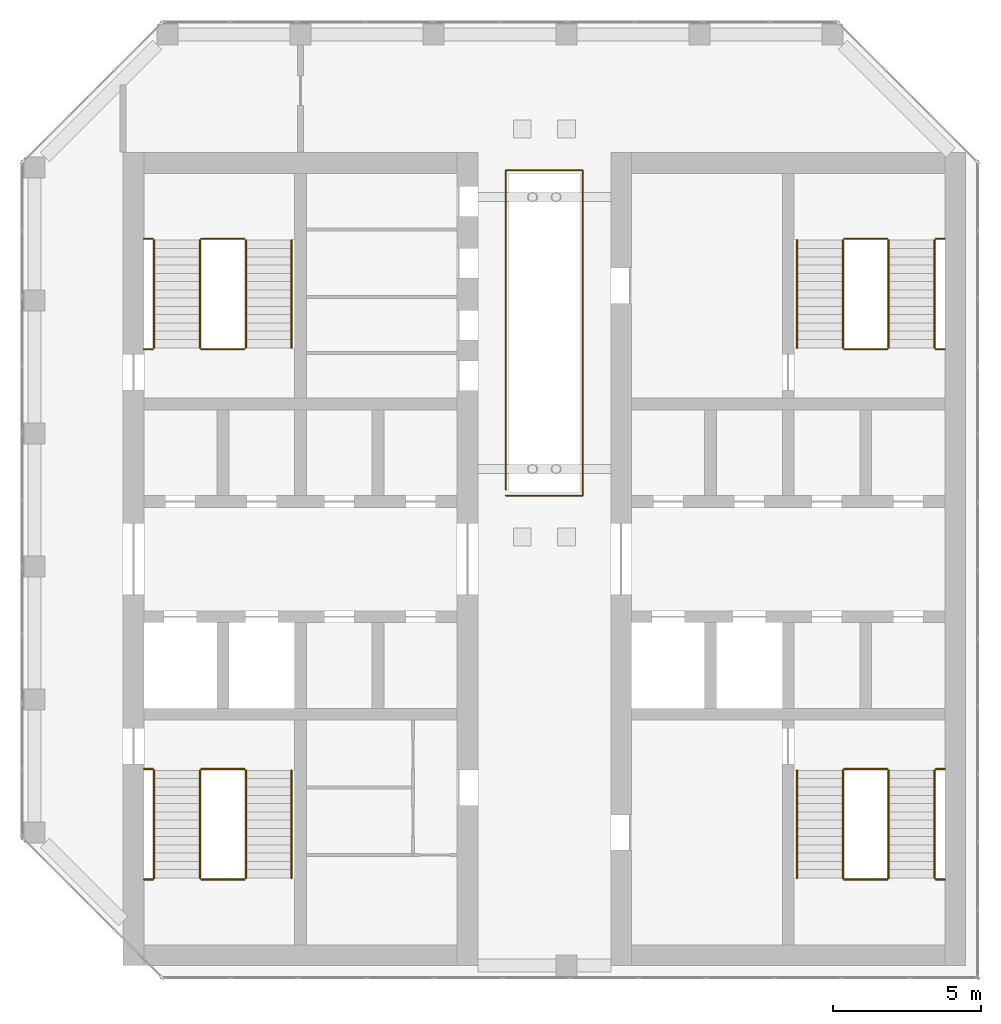
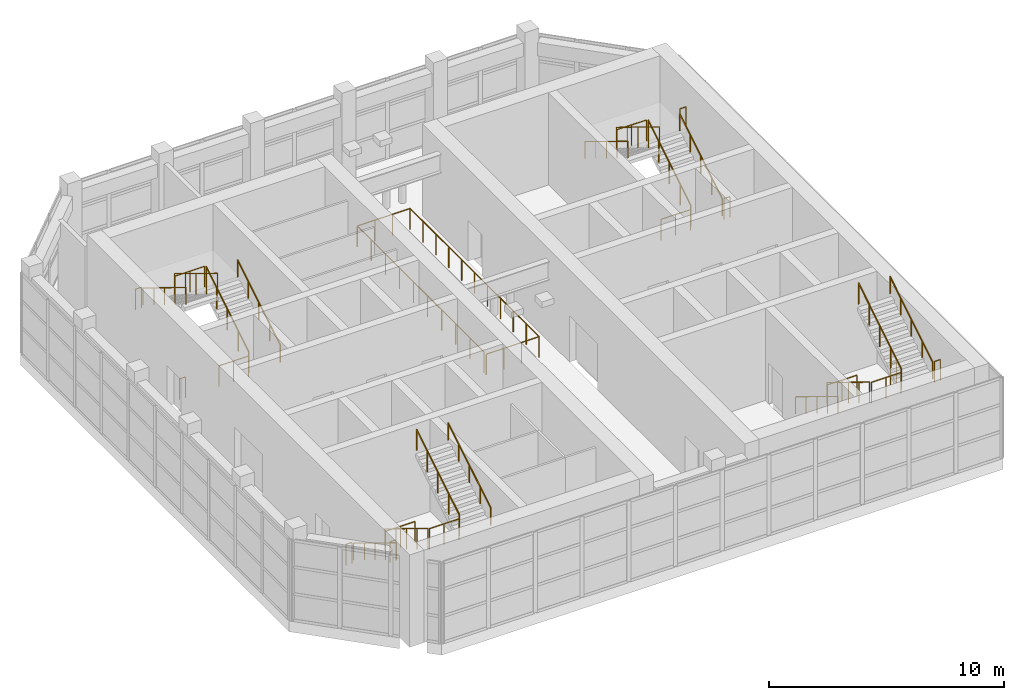
# One storey, part 12 of 13: 33 railings.
"""IFC4 building model written with IfcOpenShell, lengths in metres."""

from ifc_helpers import new_model, si_unit, direction, frame, origin, origin_2d, place, context, subcontext, project, spatial, circle, extrude, material, type_object, element, save


model = new_model("IFC4")

# Units and contexts
model_context = context("Model", 3, precision=1e-05, world=origin(), true_north=direction((0.0, 1.0)))
body_context = subcontext(model_context, "Body", "Model", "MODEL_VIEW")
ifc_project = project(units=[si_unit("LENGTHUNIT", "METRE"), si_unit("AREAUNIT", "SQUARE_METRE"), si_unit("VOLUMEUNIT", "CUBIC_METRE"), si_unit("PLANEANGLEUNIT", "RADIAN"), si_unit("MASSUNIT", "GRAM", prefix="KILO")], contexts=[model_context])

# Site, building, storey
site_placement = place(None, origin())
site = spatial("IfcSite", under=ifc_project, at=site_placement, CompositionType="ELEMENT")
building_placement = place(site_placement, origin())
building = spatial("IfcBuilding", under=site, at=building_placement, Name="Corbel Stack Research Tower", CompositionType="ELEMENT")
storey_placement = place(building_placement, frame((0.0, 0.0, 316.60009765625)))
storey = spatial("IfcBuildingStorey", under=building, at=storey_placement, Name="L71", CompositionType="ELEMENT", Elevation=316.60009765625)

# Railings
ifc_material_1 = material(Name="Steel S355", Category="steel")
railing_type_1 = type_object("IfcRailingType", Name="Floor opening guard, steel 1100", PredefinedType="GUARDRAIL", material=ifc_material_1)
railing_1_placement = place(storey_placement, frame((2.449951171875, 6.89990234375, 0.0)))
element("IfcRailing", 1, at=railing_1_placement, inside=storey, type_object=railing_type_1, Name="Damper mass opening guard", PredefinedType="GUARDRAIL", context=body_context, shape_type="SweptSolid", body=[
    extrude(circle(Radius=0.02490234375, at=origin_2d()), frame((0.0, 0.0, 1.0751953125), z_axis=(1.0, 0.0, 0.0), x_axis=(0.0, 1.0, 0.0)), (0.0, 0.0, 1.0), 2.60009765625),
    extrude(circle(Radius=0.02490234375, at=origin_2d()), frame((2.60009765625, 0.0, 1.0751953125), z_axis=(0.0, 1.0, 0.0), x_axis=(-1.0, 0.0, 0.0)), (0.0, 0.0, 1.0), 11.0),
    extrude(circle(Radius=0.02490234375, at=origin_2d()), frame((2.60009765625, 11.0, 1.0751953125), z_axis=(-1.0, 0.0, 0.0), x_axis=(0.0, -1.0, 0.0)), (0.0, 0.0, 1.0), 2.60009765625),
    extrude(circle(Radius=0.02490234375, at=origin_2d()), frame((0.0, 11.0, 1.0751953125), z_axis=(0.0, -1.0, 0.0), x_axis=(1.0, 0.0, 0.0)), (0.0, 0.0, 1.0), 10.7998046875),
    extrude(circle(Radius=0.02490234375, at=origin_2d()), origin(), (0.0, 0.0, 1.0), 1.050048828125),
    extrude(circle(Radius=0.02490234375, at=origin_2d()), frame((0.86669921875, 0.0, 0.0)), (0.0, 0.0, 1.0), 1.050048828125),
    extrude(circle(Radius=0.02490234375, at=origin_2d()), frame((1.7333984375, 0.0, 0.0)), (0.0, 0.0, 1.0), 1.050048828125),
    extrude(circle(Radius=0.02490234375, at=origin_2d()), frame((2.60009765625, 0.0, 0.0)), (0.0, 0.0, 1.0), 1.050048828125),
    extrude(circle(Radius=0.02490234375, at=origin_2d()), frame((2.60009765625, 1.10009765625, 0.0)), (0.0, 0.0, 1.0), 1.050048828125),
    extrude(circle(Radius=0.02490234375, at=origin_2d()), frame((2.60009765625, 2.199951171875, 0.0)), (0.0, 0.0, 1.0), 1.050048828125),
    extrude(circle(Radius=0.02490234375, at=origin_2d()), frame((2.60009765625, 3.300048828125, 0.0)), (0.0, 0.0, 1.0), 1.050048828125),
    extrude(circle(Radius=0.02490234375, at=origin_2d()), frame((2.60009765625, 4.39990234375, 0.0)), (0.0, 0.0, 1.0), 1.050048828125),
    extrude(circle(Radius=0.02490234375, at=origin_2d()), frame((2.60009765625, 5.5, 0.0)), (0.0, 0.0, 1.0), 1.050048828125),
    extrude(circle(Radius=0.02490234375, at=origin_2d()), frame((2.60009765625, 6.60009765625, 0.0)), (0.0, 0.0, 1.0), 1.050048828125),
    extrude(circle(Radius=0.02490234375, at=origin_2d()), frame((2.60009765625, 7.699951171875, 0.0)), (0.0, 0.0, 1.0), 1.050048828125),
    extrude(circle(Radius=0.02490234375, at=origin_2d()), frame((2.60009765625, 8.800048828125, 0.0)), (0.0, 0.0, 1.0), 1.050048828125),
    extrude(circle(Radius=0.02490234375, at=origin_2d()), frame((2.60009765625, 9.89990234375, 0.0)), (0.0, 0.0, 1.0), 1.050048828125),
    extrude(circle(Radius=0.02490234375, at=origin_2d()), frame((2.60009765625, 11.0, 0.0)), (0.0, 0.0, 1.0), 1.050048828125),
    extrude(circle(Radius=0.02490234375, at=origin_2d()), frame((1.7333984375, 11.0, 0.0)), (0.0, 0.0, 1.0), 1.050048828125),
    extrude(circle(Radius=0.02490234375, at=origin_2d()), frame((0.86669921875, 11.0, 0.0)), (0.0, 0.0, 1.0), 1.050048828125),
    extrude(circle(Radius=0.02490234375, at=origin_2d()), frame((0.0, 11.0, 0.0)), (0.0, 0.0, 1.0), 1.050048828125),
    extrude(circle(Radius=0.02490234375, at=origin_2d()), frame((0.0, 9.800048828125, 0.0)), (0.0, 0.0, 1.0), 1.050048828125),
    extrude(circle(Radius=0.02490234375, at=origin_2d()), frame((0.0, 8.60009765625, 0.0)), (0.0, 0.0, 1.0), 1.050048828125),
    extrude(circle(Radius=0.02490234375, at=origin_2d()), frame((0.0, 7.400146484375, 0.0)), (0.0, 0.0, 1.0), 1.050048828125),
    extrude(circle(Radius=0.02490234375, at=origin_2d()), frame((0.0, 6.2001953125, 0.0)), (0.0, 0.0, 1.0), 1.050048828125),
    extrude(circle(Radius=0.02490234375, at=origin_2d()), frame((0.0, 5.0, 0.0)), (0.0, 0.0, 1.0), 1.050048828125),
    extrude(circle(Radius=0.02490234375, at=origin_2d()), frame((0.0, 3.800048828125, 0.0)), (0.0, 0.0, 1.0), 1.050048828125),
    extrude(circle(Radius=0.02490234375, at=origin_2d()), frame((0.0, 2.60009765625, 0.0)), (0.0, 0.0, 1.0), 1.050048828125),
    extrude(circle(Radius=0.02490234375, at=origin_2d()), frame((0.0, 1.400146484375, 0.0)), (0.0, 0.0, 1.0), 1.050048828125),
    extrude(circle(Radius=0.02490234375, at=origin_2d()), frame((0.0, 0.2001953125, 0.0)), (0.0, 0.0, 1.0), 1.050048828125),
])
ifc_material_2 = material(Name="Steel S355", Category="steel")
railing_type_2 = type_object("IfcRailingType", Name="Stair guard 1100", PredefinedType="GUARDRAIL", material=ifc_material_2)
railing_2_placement = place(storey_placement, frame((-7.89990234375, -2.39990234375, 0.17138671875)))
element("IfcRailing", 2, at=railing_2_placement, inside=storey, type_object=railing_type_2, Name="L71 ST-W1 stair guard 1", PredefinedType="GUARDRAIL", context=body_context, shape_type="SweptSolid", body=[
    extrude(circle(Radius=0.02392578125, at=origin_2d()), frame((0.0, 0.0, 1.076171875), z_axis=(0.0, -0.852865859571, 0.52213008492), x_axis=(1.0, 0.0, 0.0)), (0.0, 0.0, 1.0), 4.26806640625),
    extrude(circle(Radius=0.02099609375, at=origin_2d()), origin(), (0.0, 0.0, 1.0), 1.052001953125),
    extrude(circle(Radius=0.02099609375, at=origin_2d()), frame((0.0, -0.91015625, 0.55712890625)), (0.0, 0.0, 1.0), 1.052001953125),
    extrude(circle(Radius=0.02099609375, at=origin_2d()), frame((0.0, -1.820068359375, 1.1142578125)), (0.0, 0.0, 1.0), 1.052001953125),
    extrude(circle(Radius=0.02099609375, at=origin_2d()), frame((0.0, -2.72998046875, 1.67138671875)), (0.0, 0.0, 1.0), 1.052001953125),
    extrude(circle(Radius=0.02099609375, at=origin_2d()), frame((0.0, -3.64013671875, 2.228515625)), (0.0, 0.0, 1.0), 1.052001953125),
])
railing_3_placement = place(storey_placement, frame((-7.85009765625, -6.090087890625, 2.39990234375)))
element("IfcRailing", 3, at=railing_3_placement, inside=storey, type_object=railing_type_2, Name="L71 ST-W1 stair guard 2", PredefinedType="GUARDRAIL", context=body_context, shape_type="SweptSolid", body=[
    extrude(circle(Radius=0.02392578125, at=origin_2d()), frame((0.0, 0.0, 1.076171875), z_axis=(1.0, 0.0, 0.0), x_axis=(0.0, 1.0, 0.0)), (0.0, 0.0, 1.0), 1.4501953125),
    extrude(circle(Radius=0.02099609375, at=origin_2d()), origin(), (0.0, 0.0, 1.0), 1.052001953125),
    extrude(circle(Radius=0.02099609375, at=origin_2d()), frame((0.72509765625, 0.0, 0.0)), (0.0, 0.0, 1.0), 1.052001953125),
    extrude(circle(Radius=0.02099609375, at=origin_2d()), frame((1.4501953125, 0.0, 0.0)), (0.0, 0.0, 1.0), 1.052001953125),
])
railing_4_placement = place(storey_placement, frame((-9.800048828125, -6.090087890625, 2.39990234375)))
element("IfcRailing", 4, at=railing_4_placement, inside=storey, type_object=railing_type_2, Name="L71 ST-W1 stair guard 3", PredefinedType="GUARDRAIL", context=body_context, shape_type="SweptSolid", body=[
    extrude(circle(Radius=0.02392578125, at=origin_2d()), frame((0.0, 0.0, 1.076171875), z_axis=(1.0, 0.0, 0.0), x_axis=(0.0, 1.0, 0.0)), (0.0, 0.0, 1.0), 0.300048828125),
    extrude(circle(Radius=0.02099609375, at=origin_2d()), origin(), (0.0, 0.0, 1.0), 1.052001953125),
    extrude(circle(Radius=0.02099609375, at=origin_2d()), frame((0.300048828125, 0.0, 0.0)), (0.0, 0.0, 1.0), 1.052001953125),
])
railing_5_placement = place(storey_placement, frame((-6.35009765625, -6.0400390625, 2.5712890625)))
element("IfcRailing", 5, at=railing_5_placement, inside=storey, type_object=railing_type_2, Name="L71 ST-W1 stair guard 4", PredefinedType="GUARDRAIL", context=body_context, shape_type="SweptSolid", body=[
    extrude(circle(Radius=0.02392578125, at=origin_2d()), frame((0.0, 0.0, 1.076171875), z_axis=(0.0, 0.852865859571, 0.52213008492), x_axis=(-1.0, 0.0, 0.0)), (0.0, 0.0, 1.0), 4.26806640625),
    extrude(circle(Radius=0.02099609375, at=origin_2d()), origin(), (0.0, 0.0, 1.0), 1.052001953125),
    extrude(circle(Radius=0.02099609375, at=origin_2d()), frame((0.0, 0.91015625, 0.55712890625)), (0.0, 0.0, 1.0), 1.052001953125),
    extrude(circle(Radius=0.02099609375, at=origin_2d()), frame((0.0, 1.820068359375, 1.1142578125)), (0.0, 0.0, 1.0), 1.052001953125),
    extrude(circle(Radius=0.02099609375, at=origin_2d()), frame((0.0, 2.72998046875, 1.67138671875)), (0.0, 0.0, 1.0), 1.052001953125),
    extrude(circle(Radius=0.02099609375, at=origin_2d()), frame((0.0, 3.64013671875, 2.228515625)), (0.0, 0.0, 1.0), 1.052001953125),
])
railing_6_placement = place(storey_placement, frame((-7.85009765625, -2.35009765625, 0.0)))
element("IfcRailing", 6, at=railing_6_placement, inside=storey, type_object=railing_type_2, Name="L71 ST-W1 stair guard 5", PredefinedType="GUARDRAIL", context=body_context, shape_type="SweptSolid", body=[
    extrude(circle(Radius=0.02392578125, at=origin_2d()), frame((0.0, 0.0, 1.076171875), z_axis=(1.0, 0.0, 0.0), x_axis=(0.0, 1.0, 0.0)), (0.0, 0.0, 1.0), 1.4501953125),
    extrude(circle(Radius=0.02099609375, at=origin_2d()), origin(), (0.0, 0.0, 1.0), 1.052001953125),
    extrude(circle(Radius=0.02099609375, at=origin_2d()), frame((0.72509765625, 0.0, 0.0)), (0.0, 0.0, 1.0), 1.052001953125),
    extrude(circle(Radius=0.02099609375, at=origin_2d()), frame((1.4501953125, 0.0, 0.0)), (0.0, 0.0, 1.0), 1.052001953125),
])
railing_7_placement = place(storey_placement, frame((-9.800048828125, -2.35009765625, 0.0)))
element("IfcRailing", 7, at=railing_7_placement, inside=storey, type_object=railing_type_2, Name="L71 ST-W1 stair guard 6", PredefinedType="GUARDRAIL", context=body_context, shape_type="SweptSolid", body=[
    extrude(circle(Radius=0.02392578125, at=origin_2d()), frame((0.0, 0.0, 1.076171875), z_axis=(1.0, 0.0, 0.0), x_axis=(0.0, 1.0, 0.0)), (0.0, 0.0, 1.0), 0.300048828125),
    extrude(circle(Radius=0.02099609375, at=origin_2d()), origin(), (0.0, 0.0, 1.0), 1.052001953125),
    extrude(circle(Radius=0.02099609375, at=origin_2d()), frame((0.300048828125, 0.0, 0.0)), (0.0, 0.0, 1.0), 1.052001953125),
])
railing_8_placement = place(storey_placement, frame((-6.35009765625, 11.89990234375, 0.17138671875)))
element("IfcRailing", 8, at=railing_8_placement, inside=storey, type_object=railing_type_2, Name="L71 ST-W2 stair guard 1", PredefinedType="GUARDRAIL", context=body_context, shape_type="SweptSolid", body=[
    extrude(circle(Radius=0.02392578125, at=origin_2d()), frame((0.0, 0.0, 1.076171875), z_axis=(0.0, 0.852865859571, 0.52213008492), x_axis=(-1.0, 0.0, 0.0)), (0.0, 0.0, 1.0), 4.26806640625),
    extrude(circle(Radius=0.02099609375, at=origin_2d()), origin(), (0.0, 0.0, 1.0), 1.052001953125),
    extrude(circle(Radius=0.02099609375, at=origin_2d()), frame((0.0, 0.91015625, 0.55712890625)), (0.0, 0.0, 1.0), 1.052001953125),
    extrude(circle(Radius=0.02099609375, at=origin_2d()), frame((0.0, 1.820068359375, 1.1142578125)), (0.0, 0.0, 1.0), 1.052001953125),
    extrude(circle(Radius=0.02099609375, at=origin_2d()), frame((0.0, 2.72998046875, 1.67138671875)), (0.0, 0.0, 1.0), 1.052001953125),
    extrude(circle(Radius=0.02099609375, at=origin_2d()), frame((0.0, 3.64013671875, 2.228515625)), (0.0, 0.0, 1.0), 1.052001953125),
])
railing_9_placement = place(storey_placement, frame((-6.39990234375, 15.590087890625, 2.39990234375)))
element("IfcRailing", 9, at=railing_9_placement, inside=storey, type_object=railing_type_2, Name="L71 ST-W2 stair guard 2", PredefinedType="GUARDRAIL", context=body_context, shape_type="SweptSolid", body=[
    extrude(circle(Radius=0.02392578125, at=origin_2d()), frame((0.0, 0.0, 1.076171875), z_axis=(-1.0, 0.0, 0.0), x_axis=(0.0, -1.0, 0.0)), (0.0, 0.0, 1.0), 1.4501953125),
    extrude(circle(Radius=0.02099609375, at=origin_2d()), origin(), (0.0, 0.0, 1.0), 1.052001953125),
    extrude(circle(Radius=0.02099609375, at=origin_2d()), frame((-0.72509765625, 0.0, 0.0)), (0.0, 0.0, 1.0), 1.052001953125),
    extrude(circle(Radius=0.02099609375, at=origin_2d()), frame((-1.4501953125, 0.0, 0.0)), (0.0, 0.0, 1.0), 1.052001953125),
])
railing_10_placement = place(storey_placement, frame((-9.5, 15.590087890625, 2.39990234375)))
element("IfcRailing", 10, at=railing_10_placement, inside=storey, type_object=railing_type_2, Name="L71 ST-W2 stair guard 3", PredefinedType="GUARDRAIL", context=body_context, shape_type="SweptSolid", body=[
    extrude(circle(Radius=0.02392578125, at=origin_2d()), frame((0.0, 0.0, 1.076171875), z_axis=(-1.0, 0.0, 0.0), x_axis=(0.0, -1.0, 0.0)), (0.0, 0.0, 1.0), 0.300048828125),
    extrude(circle(Radius=0.02099609375, at=origin_2d()), origin(), (0.0, 0.0, 1.0), 1.052001953125),
    extrude(circle(Radius=0.02099609375, at=origin_2d()), frame((-0.300048828125, 0.0, 0.0)), (0.0, 0.0, 1.0), 1.052001953125),
])
railing_11_placement = place(storey_placement, frame((-7.89990234375, 15.5400390625, 2.5712890625)))
element("IfcRailing", 11, at=railing_11_placement, inside=storey, type_object=railing_type_2, Name="L71 ST-W2 stair guard 4", PredefinedType="GUARDRAIL", context=body_context, shape_type="SweptSolid", body=[
    extrude(circle(Radius=0.02392578125, at=origin_2d()), frame((0.0, 0.0, 1.076171875), z_axis=(0.0, -0.852865859571, 0.52213008492), x_axis=(1.0, 0.0, 0.0)), (0.0, 0.0, 1.0), 4.26806640625),
    extrude(circle(Radius=0.02099609375, at=origin_2d()), origin(), (0.0, 0.0, 1.0), 1.052001953125),
    extrude(circle(Radius=0.02099609375, at=origin_2d()), frame((0.0, -0.91015625, 0.55712890625)), (0.0, 0.0, 1.0), 1.052001953125),
    extrude(circle(Radius=0.02099609375, at=origin_2d()), frame((0.0, -1.820068359375, 1.1142578125)), (0.0, 0.0, 1.0), 1.052001953125),
    extrude(circle(Radius=0.02099609375, at=origin_2d()), frame((0.0, -2.72998046875, 1.67138671875)), (0.0, 0.0, 1.0), 1.052001953125),
    extrude(circle(Radius=0.02099609375, at=origin_2d()), frame((0.0, -3.64013671875, 2.228515625)), (0.0, 0.0, 1.0), 1.052001953125),
])
railing_12_placement = place(storey_placement, frame((-6.39990234375, 11.85009765625, 0.0)))
element("IfcRailing", 12, at=railing_12_placement, inside=storey, type_object=railing_type_2, Name="L71 ST-W2 stair guard 5", PredefinedType="GUARDRAIL", context=body_context, shape_type="SweptSolid", body=[
    extrude(circle(Radius=0.02392578125, at=origin_2d()), frame((0.0, 0.0, 1.076171875), z_axis=(-1.0, 0.0, 0.0), x_axis=(0.0, -1.0, 0.0)), (0.0, 0.0, 1.0), 1.4501953125),
    extrude(circle(Radius=0.02099609375, at=origin_2d()), origin(), (0.0, 0.0, 1.0), 1.052001953125),
    extrude(circle(Radius=0.02099609375, at=origin_2d()), frame((-0.72509765625, 0.0, 0.0)), (0.0, 0.0, 1.0), 1.052001953125),
    extrude(circle(Radius=0.02099609375, at=origin_2d()), frame((-1.4501953125, 0.0, 0.0)), (0.0, 0.0, 1.0), 1.052001953125),
])
railing_13_placement = place(storey_placement, frame((-9.5, 11.85009765625, 0.0)))
element("IfcRailing", 13, at=railing_13_placement, inside=storey, type_object=railing_type_2, Name="L71 ST-W2 stair guard 6", PredefinedType="GUARDRAIL", context=body_context, shape_type="SweptSolid", body=[
    extrude(circle(Radius=0.02392578125, at=origin_2d()), frame((0.0, 0.0, 1.076171875), z_axis=(-1.0, 0.0, 0.0), x_axis=(0.0, -1.0, 0.0)), (0.0, 0.0, 1.0), 0.300048828125),
    extrude(circle(Radius=0.02099609375, at=origin_2d()), origin(), (0.0, 0.0, 1.0), 1.052001953125),
    extrude(circle(Radius=0.02099609375, at=origin_2d()), frame((-0.300048828125, 0.0, 0.0)), (0.0, 0.0, 1.0), 1.052001953125),
])
railing_14_placement = place(storey_placement, frame((13.85009765625, -2.39990234375, 0.17138671875)))
element("IfcRailing", 14, at=railing_14_placement, inside=storey, type_object=railing_type_2, Name="L71 ST-E1 stair guard 1", PredefinedType="GUARDRAIL", context=body_context, shape_type="SweptSolid", body=[
    extrude(circle(Radius=0.02392578125, at=origin_2d()), frame((0.0, 0.0, 1.076171875), z_axis=(0.0, -0.852865859571, 0.52213008492), x_axis=(1.0, 0.0, 0.0)), (0.0, 0.0, 1.0), 4.26806640625),
    extrude(circle(Radius=0.02099609375, at=origin_2d()), origin(), (0.0, 0.0, 1.0), 1.052001953125),
    extrude(circle(Radius=0.02099609375, at=origin_2d()), frame((0.0, -0.91015625, 0.55712890625)), (0.0, 0.0, 1.0), 1.052001953125),
    extrude(circle(Radius=0.02099609375, at=origin_2d()), frame((0.0, -1.820068359375, 1.1142578125)), (0.0, 0.0, 1.0), 1.052001953125),
    extrude(circle(Radius=0.02099609375, at=origin_2d()), frame((0.0, -2.72998046875, 1.67138671875)), (0.0, 0.0, 1.0), 1.052001953125),
    extrude(circle(Radius=0.02099609375, at=origin_2d()), frame((0.0, -3.64013671875, 2.228515625)), (0.0, 0.0, 1.0), 1.052001953125),
])
railing_15_placement = place(storey_placement, frame((13.89990234375, -6.090087890625, 2.39990234375)))
element("IfcRailing", 15, at=railing_15_placement, inside=storey, type_object=railing_type_2, Name="L71 ST-E1 stair guard 2", PredefinedType="GUARDRAIL", context=body_context, shape_type="SweptSolid", body=[
    extrude(circle(Radius=0.02392578125, at=origin_2d()), frame((0.0, 0.0, 1.076171875), z_axis=(1.0, 0.0, 0.0), x_axis=(0.0, 1.0, 0.0)), (0.0, 0.0, 1.0), 1.4501953125),
    extrude(circle(Radius=0.02099609375, at=origin_2d()), origin(), (0.0, 0.0, 1.0), 1.052001953125),
    extrude(circle(Radius=0.02099609375, at=origin_2d()), frame((0.72509765625, 0.0, 0.0)), (0.0, 0.0, 1.0), 1.052001953125),
    extrude(circle(Radius=0.02099609375, at=origin_2d()), frame((1.4501953125, 0.0, 0.0)), (0.0, 0.0, 1.0), 1.052001953125),
])
railing_16_placement = place(storey_placement, frame((17.0, -6.090087890625, 2.39990234375)))
element("IfcRailing", 16, at=railing_16_placement, inside=storey, type_object=railing_type_2, Name="L71 ST-E1 stair guard 3", PredefinedType="GUARDRAIL", context=body_context, shape_type="SweptSolid", body=[
    extrude(circle(Radius=0.02392578125, at=origin_2d()), frame((0.0, 0.0, 1.076171875), z_axis=(1.0, 0.0, 0.0), x_axis=(0.0, 1.0, 0.0)), (0.0, 0.0, 1.0), 0.300048828125),
    extrude(circle(Radius=0.02099609375, at=origin_2d()), origin(), (0.0, 0.0, 1.0), 1.052001953125),
    extrude(circle(Radius=0.02099609375, at=origin_2d()), frame((0.300048828125, 0.0, 0.0)), (0.0, 0.0, 1.0), 1.052001953125),
])
railing_17_placement = place(storey_placement, frame((15.39990234375, -6.0400390625, 2.5712890625)))
element("IfcRailing", 17, at=railing_17_placement, inside=storey, type_object=railing_type_2, Name="L71 ST-E1 stair guard 4", PredefinedType="GUARDRAIL", context=body_context, shape_type="SweptSolid", body=[
    extrude(circle(Radius=0.02392578125, at=origin_2d()), frame((0.0, 0.0, 1.076171875), z_axis=(0.0, 0.852865859571, 0.52213008492), x_axis=(-1.0, 0.0, 0.0)), (0.0, 0.0, 1.0), 4.26806640625),
    extrude(circle(Radius=0.02099609375, at=origin_2d()), origin(), (0.0, 0.0, 1.0), 1.052001953125),
    extrude(circle(Radius=0.02099609375, at=origin_2d()), frame((0.0, 0.91015625, 0.55712890625)), (0.0, 0.0, 1.0), 1.052001953125),
    extrude(circle(Radius=0.02099609375, at=origin_2d()), frame((0.0, 1.820068359375, 1.1142578125)), (0.0, 0.0, 1.0), 1.052001953125),
    extrude(circle(Radius=0.02099609375, at=origin_2d()), frame((0.0, 2.72998046875, 1.67138671875)), (0.0, 0.0, 1.0), 1.052001953125),
    extrude(circle(Radius=0.02099609375, at=origin_2d()), frame((0.0, 3.64013671875, 2.228515625)), (0.0, 0.0, 1.0), 1.052001953125),
])
railing_18_placement = place(storey_placement, frame((13.89990234375, -2.35009765625, 0.0)))
element("IfcRailing", 18, at=railing_18_placement, inside=storey, type_object=railing_type_2, Name="L71 ST-E1 stair guard 5", PredefinedType="GUARDRAIL", context=body_context, shape_type="SweptSolid", body=[
    extrude(circle(Radius=0.02392578125, at=origin_2d()), frame((0.0, 0.0, 1.076171875), z_axis=(1.0, 0.0, 0.0), x_axis=(0.0, 1.0, 0.0)), (0.0, 0.0, 1.0), 1.4501953125),
    extrude(circle(Radius=0.02099609375, at=origin_2d()), origin(), (0.0, 0.0, 1.0), 1.052001953125),
    extrude(circle(Radius=0.02099609375, at=origin_2d()), frame((0.72509765625, 0.0, 0.0)), (0.0, 0.0, 1.0), 1.052001953125),
    extrude(circle(Radius=0.02099609375, at=origin_2d()), frame((1.4501953125, 0.0, 0.0)), (0.0, 0.0, 1.0), 1.052001953125),
])
railing_19_placement = place(storey_placement, frame((17.0, -2.35009765625, 0.0)))
element("IfcRailing", 19, at=railing_19_placement, inside=storey, type_object=railing_type_2, Name="L71 ST-E1 stair guard 6", PredefinedType="GUARDRAIL", context=body_context, shape_type="SweptSolid", body=[
    extrude(circle(Radius=0.02392578125, at=origin_2d()), frame((0.0, 0.0, 1.076171875), z_axis=(1.0, 0.0, 0.0), x_axis=(0.0, 1.0, 0.0)), (0.0, 0.0, 1.0), 0.300048828125),
    extrude(circle(Radius=0.02099609375, at=origin_2d()), origin(), (0.0, 0.0, 1.0), 1.052001953125),
    extrude(circle(Radius=0.02099609375, at=origin_2d()), frame((0.300048828125, 0.0, 0.0)), (0.0, 0.0, 1.0), 1.052001953125),
])
railing_20_placement = place(storey_placement, frame((15.39990234375, 11.89990234375, 0.17138671875)))
element("IfcRailing", 20, at=railing_20_placement, inside=storey, type_object=railing_type_2, Name="L71 ST-E2 stair guard 1", PredefinedType="GUARDRAIL", context=body_context, shape_type="SweptSolid", body=[
    extrude(circle(Radius=0.02392578125, at=origin_2d()), frame((0.0, 0.0, 1.076171875), z_axis=(0.0, 0.852865859571, 0.52213008492), x_axis=(-1.0, 0.0, 0.0)), (0.0, 0.0, 1.0), 4.26806640625),
    extrude(circle(Radius=0.02099609375, at=origin_2d()), origin(), (0.0, 0.0, 1.0), 1.052001953125),
    extrude(circle(Radius=0.02099609375, at=origin_2d()), frame((0.0, 0.91015625, 0.55712890625)), (0.0, 0.0, 1.0), 1.052001953125),
    extrude(circle(Radius=0.02099609375, at=origin_2d()), frame((0.0, 1.820068359375, 1.1142578125)), (0.0, 0.0, 1.0), 1.052001953125),
    extrude(circle(Radius=0.02099609375, at=origin_2d()), frame((0.0, 2.72998046875, 1.67138671875)), (0.0, 0.0, 1.0), 1.052001953125),
    extrude(circle(Radius=0.02099609375, at=origin_2d()), frame((0.0, 3.64013671875, 2.228515625)), (0.0, 0.0, 1.0), 1.052001953125),
])
railing_21_placement = place(storey_placement, frame((15.35009765625, 15.590087890625, 2.39990234375)))
element("IfcRailing", 21, at=railing_21_placement, inside=storey, type_object=railing_type_2, Name="L71 ST-E2 stair guard 2", PredefinedType="GUARDRAIL", context=body_context, shape_type="SweptSolid", body=[
    extrude(circle(Radius=0.02392578125, at=origin_2d()), frame((0.0, 0.0, 1.076171875), z_axis=(-1.0, 0.0, 0.0), x_axis=(0.0, -1.0, 0.0)), (0.0, 0.0, 1.0), 1.4501953125),
    extrude(circle(Radius=0.02099609375, at=origin_2d()), origin(), (0.0, 0.0, 1.0), 1.052001953125),
    extrude(circle(Radius=0.02099609375, at=origin_2d()), frame((-0.72509765625, 0.0, 0.0)), (0.0, 0.0, 1.0), 1.052001953125),
    extrude(circle(Radius=0.02099609375, at=origin_2d()), frame((-1.4501953125, 0.0, 0.0)), (0.0, 0.0, 1.0), 1.052001953125),
])
railing_22_placement = place(storey_placement, frame((17.300048828125, 15.590087890625, 2.39990234375)))
element("IfcRailing", 22, at=railing_22_placement, inside=storey, type_object=railing_type_2, Name="L71 ST-E2 stair guard 3", PredefinedType="GUARDRAIL", context=body_context, shape_type="SweptSolid", body=[
    extrude(circle(Radius=0.02392578125, at=origin_2d()), frame((0.0, 0.0, 1.076171875), z_axis=(-1.0, 0.0, 0.0), x_axis=(0.0, -1.0, 0.0)), (0.0, 0.0, 1.0), 0.300048828125),
    extrude(circle(Radius=0.02099609375, at=origin_2d()), origin(), (0.0, 0.0, 1.0), 1.052001953125),
    extrude(circle(Radius=0.02099609375, at=origin_2d()), frame((-0.300048828125, 0.0, 0.0)), (0.0, 0.0, 1.0), 1.052001953125),
])
railing_23_placement = place(storey_placement, frame((13.85009765625, 15.5400390625, 2.5712890625)))
element("IfcRailing", 23, at=railing_23_placement, inside=storey, type_object=railing_type_2, Name="L71 ST-E2 stair guard 4", PredefinedType="GUARDRAIL", context=body_context, shape_type="SweptSolid", body=[
    extrude(circle(Radius=0.02392578125, at=origin_2d()), frame((0.0, 0.0, 1.076171875), z_axis=(0.0, -0.852865859571, 0.52213008492), x_axis=(1.0, 0.0, 0.0)), (0.0, 0.0, 1.0), 4.26806640625),
    extrude(circle(Radius=0.02099609375, at=origin_2d()), origin(), (0.0, 0.0, 1.0), 1.052001953125),
    extrude(circle(Radius=0.02099609375, at=origin_2d()), frame((0.0, -0.91015625, 0.55712890625)), (0.0, 0.0, 1.0), 1.052001953125),
    extrude(circle(Radius=0.02099609375, at=origin_2d()), frame((0.0, -1.820068359375, 1.1142578125)), (0.0, 0.0, 1.0), 1.052001953125),
    extrude(circle(Radius=0.02099609375, at=origin_2d()), frame((0.0, -2.72998046875, 1.67138671875)), (0.0, 0.0, 1.0), 1.052001953125),
    extrude(circle(Radius=0.02099609375, at=origin_2d()), frame((0.0, -3.64013671875, 2.228515625)), (0.0, 0.0, 1.0), 1.052001953125),
])
railing_24_placement = place(storey_placement, frame((15.35009765625, 11.85009765625, 0.0)))
element("IfcRailing", 24, at=railing_24_placement, inside=storey, type_object=railing_type_2, Name="L71 ST-E2 stair guard 5", PredefinedType="GUARDRAIL", context=body_context, shape_type="SweptSolid", body=[
    extrude(circle(Radius=0.02392578125, at=origin_2d()), frame((0.0, 0.0, 1.076171875), z_axis=(-1.0, 0.0, 0.0), x_axis=(0.0, -1.0, 0.0)), (0.0, 0.0, 1.0), 1.4501953125),
    extrude(circle(Radius=0.02099609375, at=origin_2d()), origin(), (0.0, 0.0, 1.0), 1.052001953125),
    extrude(circle(Radius=0.02099609375, at=origin_2d()), frame((-0.72509765625, 0.0, 0.0)), (0.0, 0.0, 1.0), 1.052001953125),
    extrude(circle(Radius=0.02099609375, at=origin_2d()), frame((-1.4501953125, 0.0, 0.0)), (0.0, 0.0, 1.0), 1.052001953125),
])
railing_25_placement = place(storey_placement, frame((17.300048828125, 11.85009765625, 0.0)))
element("IfcRailing", 25, at=railing_25_placement, inside=storey, type_object=railing_type_2, Name="L71 ST-E2 stair guard 6", PredefinedType="GUARDRAIL", context=body_context, shape_type="SweptSolid", body=[
    extrude(circle(Radius=0.02392578125, at=origin_2d()), frame((0.0, 0.0, 1.076171875), z_axis=(-1.0, 0.0, 0.0), x_axis=(0.0, -1.0, 0.0)), (0.0, 0.0, 1.0), 0.300048828125),
    extrude(circle(Radius=0.02099609375, at=origin_2d()), origin(), (0.0, 0.0, 1.0), 1.052001953125),
    extrude(circle(Radius=0.02099609375, at=origin_2d()), frame((-0.300048828125, 0.0, 0.0)), (0.0, 0.0, 1.0), 1.052001953125),
])
ifc_material_3 = material(Name="Steel S355", Category="steel")
railing_type_3 = type_object("IfcRailingType", Name="Stair handrail 900", PredefinedType="HANDRAIL", material=ifc_material_3)
railing_26_placement = place(storey_placement, frame((-9.449951171875, -2.39990234375, 0.17138671875)))
element("IfcRailing", 26, at=railing_26_placement, inside=storey, type_object=railing_type_3, Name="L71 ST-W1 stair handrail 1", PredefinedType="HANDRAIL", context=body_context, shape_type="SweptSolid", body=[
    extrude(circle(Radius=0.02392578125, at=origin_2d()), frame((0.0, 0.0, 0.8759765625), z_axis=(0.0, -0.852865859571, 0.52213008492), x_axis=(1.0, 0.0, 0.0)), (0.0, 0.0, 1.0), 4.26806640625),
    extrude(circle(Radius=0.02099609375, at=origin_2d()), origin(), (0.0, 0.0, 1.0), 0.851806640625),
    extrude(circle(Radius=0.02099609375, at=origin_2d()), frame((0.0, -0.91015625, 0.55712890625)), (0.0, 0.0, 1.0), 0.851806640625),
    extrude(circle(Radius=0.02099609375, at=origin_2d()), frame((0.0, -1.820068359375, 1.1142578125)), (0.0, 0.0, 1.0), 0.851806640625),
    extrude(circle(Radius=0.02099609375, at=origin_2d()), frame((0.0, -2.72998046875, 1.67138671875)), (0.0, 0.0, 1.0), 0.851806640625),
    extrude(circle(Radius=0.02099609375, at=origin_2d()), frame((0.0, -3.64013671875, 2.228515625)), (0.0, 0.0, 1.0), 0.851806640625),
])
for number, where, name in (
    (27, (-4.800048828125, -6.0400390625, 2.5712890625), "L71 ST-W1 stair handrail 2"),
    (28, (-4.800048828125, 11.89990234375, 0.17138671875), "L71 ST-W2 stair handrail 1"),
):
    element("IfcRailing", number, at=place(storey_placement, frame(where)), inside=storey, type_object=railing_type_3, Name=name, PredefinedType="HANDRAIL", context=body_context, shape_type="SweptSolid", body=[
        extrude(circle(Radius=0.02392578125, at=origin_2d()), frame((0.0, 0.0, 0.8759765625), z_axis=(0.0, 0.852865859571, 0.52213008492), x_axis=(-1.0, 0.0, 0.0)), (0.0, 0.0, 1.0), 4.26806640625),
        extrude(circle(Radius=0.02099609375, at=origin_2d()), origin(), (0.0, 0.0, 1.0), 0.851806640625),
        extrude(circle(Radius=0.02099609375, at=origin_2d()), frame((0.0, 0.91015625, 0.55712890625)), (0.0, 0.0, 1.0), 0.851806640625),
        extrude(circle(Radius=0.02099609375, at=origin_2d()), frame((0.0, 1.820068359375, 1.1142578125)), (0.0, 0.0, 1.0), 0.851806640625),
        extrude(circle(Radius=0.02099609375, at=origin_2d()), frame((0.0, 2.72998046875, 1.67138671875)), (0.0, 0.0, 1.0), 0.851806640625),
        extrude(circle(Radius=0.02099609375, at=origin_2d()), frame((0.0, 3.64013671875, 2.228515625)), (0.0, 0.0, 1.0), 0.851806640625),
    ])
for number, where, name in (
    (29, (-9.449951171875, 15.5400390625, 2.5712890625), "L71 ST-W2 stair handrail 2"),
    (30, (12.300048828125, -2.39990234375, 0.17138671875), "L71 ST-E1 stair handrail 1"),
):
    element("IfcRailing", number, at=place(storey_placement, frame(where)), inside=storey, type_object=railing_type_3, Name=name, PredefinedType="HANDRAIL", context=body_context, shape_type="SweptSolid", body=[
        extrude(circle(Radius=0.02392578125, at=origin_2d()), frame((0.0, 0.0, 0.8759765625), z_axis=(0.0, -0.852865859571, 0.52213008492), x_axis=(1.0, 0.0, 0.0)), (0.0, 0.0, 1.0), 4.26806640625),
        extrude(circle(Radius=0.02099609375, at=origin_2d()), origin(), (0.0, 0.0, 1.0), 0.851806640625),
        extrude(circle(Radius=0.02099609375, at=origin_2d()), frame((0.0, -0.91015625, 0.55712890625)), (0.0, 0.0, 1.0), 0.851806640625),
        extrude(circle(Radius=0.02099609375, at=origin_2d()), frame((0.0, -1.820068359375, 1.1142578125)), (0.0, 0.0, 1.0), 0.851806640625),
        extrude(circle(Radius=0.02099609375, at=origin_2d()), frame((0.0, -2.72998046875, 1.67138671875)), (0.0, 0.0, 1.0), 0.851806640625),
        extrude(circle(Radius=0.02099609375, at=origin_2d()), frame((0.0, -3.64013671875, 2.228515625)), (0.0, 0.0, 1.0), 0.851806640625),
    ])
for number, where, name in (
    (31, (16.949951171875, -6.0400390625, 2.5712890625), "L71 ST-E1 stair handrail 2"),
    (32, (16.949951171875, 11.89990234375, 0.17138671875), "L71 ST-E2 stair handrail 1"),
):
    element("IfcRailing", number, at=place(storey_placement, frame(where)), inside=storey, type_object=railing_type_3, Name=name, PredefinedType="HANDRAIL", context=body_context, shape_type="SweptSolid", body=[
        extrude(circle(Radius=0.02392578125, at=origin_2d()), frame((0.0, 0.0, 0.8759765625), z_axis=(0.0, 0.852865859571, 0.52213008492), x_axis=(-1.0, 0.0, 0.0)), (0.0, 0.0, 1.0), 4.26806640625),
        extrude(circle(Radius=0.02099609375, at=origin_2d()), origin(), (0.0, 0.0, 1.0), 0.851806640625),
        extrude(circle(Radius=0.02099609375, at=origin_2d()), frame((0.0, 0.91015625, 0.55712890625)), (0.0, 0.0, 1.0), 0.851806640625),
        extrude(circle(Radius=0.02099609375, at=origin_2d()), frame((0.0, 1.820068359375, 1.1142578125)), (0.0, 0.0, 1.0), 0.851806640625),
        extrude(circle(Radius=0.02099609375, at=origin_2d()), frame((0.0, 2.72998046875, 1.67138671875)), (0.0, 0.0, 1.0), 0.851806640625),
        extrude(circle(Radius=0.02099609375, at=origin_2d()), frame((0.0, 3.64013671875, 2.228515625)), (0.0, 0.0, 1.0), 0.851806640625),
    ])
railing_27_placement = place(storey_placement, frame((12.300048828125, 15.5400390625, 2.5712890625)))
element("IfcRailing", 33, at=railing_27_placement, inside=storey, type_object=railing_type_3, Name="L71 ST-E2 stair handrail 2", PredefinedType="HANDRAIL", context=body_context, shape_type="SweptSolid", body=[
    extrude(circle(Radius=0.02392578125, at=origin_2d()), frame((0.0, 0.0, 0.8759765625), z_axis=(0.0, -0.852865859571, 0.52213008492), x_axis=(1.0, 0.0, 0.0)), (0.0, 0.0, 1.0), 4.26806640625),
    extrude(circle(Radius=0.02099609375, at=origin_2d()), origin(), (0.0, 0.0, 1.0), 0.851806640625),
    extrude(circle(Radius=0.02099609375, at=origin_2d()), frame((0.0, -0.91015625, 0.55712890625)), (0.0, 0.0, 1.0), 0.851806640625),
    extrude(circle(Radius=0.02099609375, at=origin_2d()), frame((0.0, -1.820068359375, 1.1142578125)), (0.0, 0.0, 1.0), 0.851806640625),
    extrude(circle(Radius=0.02099609375, at=origin_2d()), frame((0.0, -2.72998046875, 1.67138671875)), (0.0, 0.0, 1.0), 0.851806640625),
    extrude(circle(Radius=0.02099609375, at=origin_2d()), frame((0.0, -3.64013671875, 2.228515625)), (0.0, 0.0, 1.0), 0.851806640625),
])

save(model, "model.ifc")
